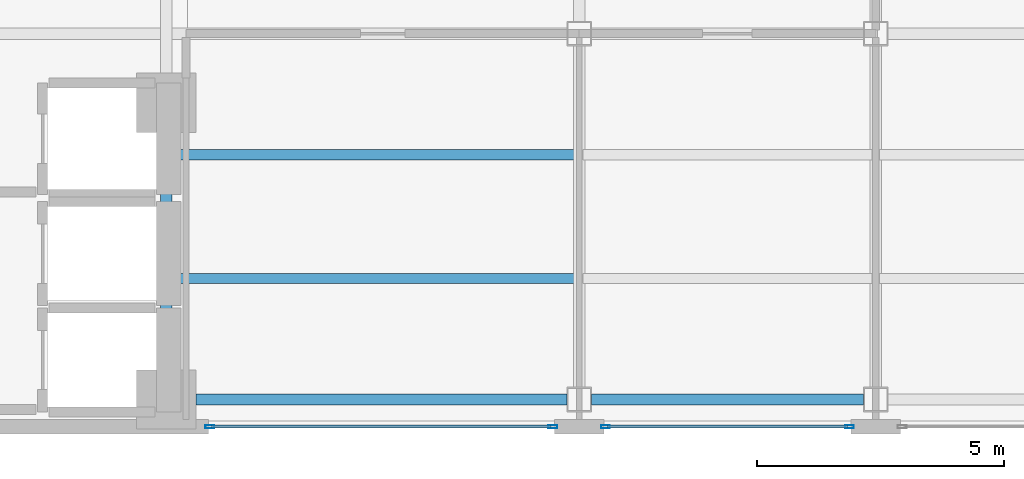
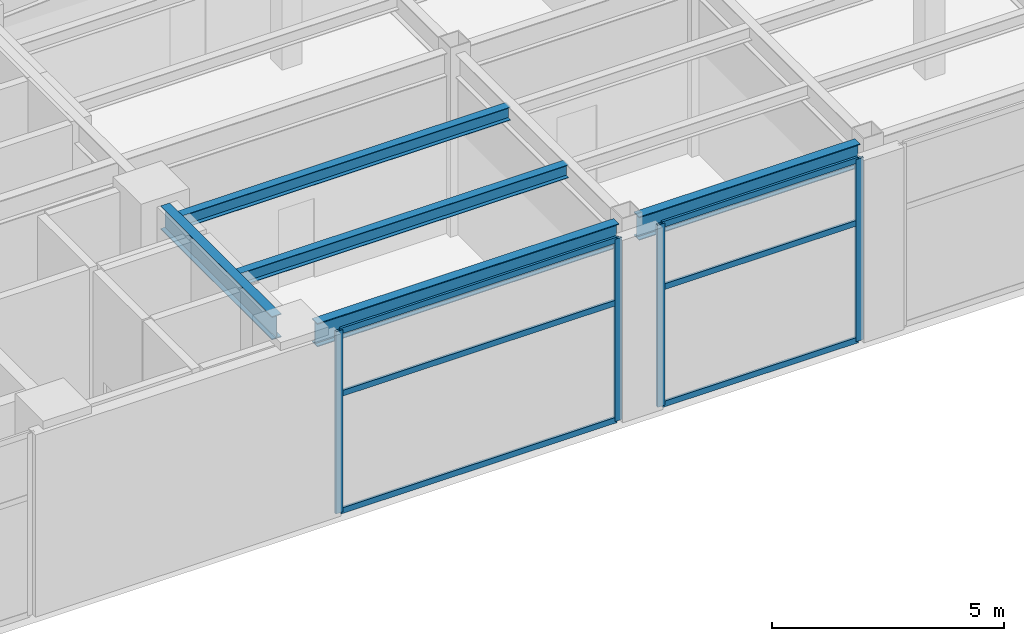
# One storey, part 4 of 23: 10 members, 5 beams, 2 elements without a shape of their own.
"""IFC4 building model written with IfcOpenShell, lengths in metres."""

from ifc_helpers import new_model, si_unit, direction, frame, origin, origin_2d, place, context, subcontext, project, spatial, hollow_rectangle, i_section, extrude, material, layer, layer_set, material_profile, profile_set, type_object, element, aggregate, save


model = new_model("IFC4")

# Units and contexts
model_context = context("Model", 3, precision=1e-05, world=origin(), true_north=direction((0.0, 1.0)))
body_context = subcontext(model_context, "Body", "Model", "MODEL_VIEW")
ifc_project = project(units=[si_unit("LENGTHUNIT", "METRE"), si_unit("AREAUNIT", "SQUARE_METRE"), si_unit("VOLUMEUNIT", "CUBIC_METRE"), si_unit("PLANEANGLEUNIT", "RADIAN"), si_unit("MASSUNIT", "GRAM", prefix="KILO")], contexts=[model_context])

# Site, building, storey
site_placement = place(None, origin())
site = spatial("IfcSite", under=ifc_project, at=site_placement, CompositionType="ELEMENT")
building_placement = place(site_placement, origin())
building = spatial("IfcBuilding", under=site, at=building_placement, Name="Mawjaban Terraces University", CompositionType="ELEMENT")
storey_placement = place(building_placement, frame((0.0, 0.0, 98.39990234375)))
storey = spatial("IfcBuildingStorey", under=building, at=storey_placement, Name="L23", CompositionType="ELEMENT", Elevation=98.39990234375)

# Beams
ifc_material_1 = material(Name="Steel ASTM A572 Grade 50", Category="steel")
ifc_material_profile_1 = material_profile(ifc_material_1, i_section(OverallWidth=0.22998046875, OverallDepth=0.616943359375, WebThickness=0.01318359375, FlangeThickness=0.022216796875, at=origin_2d()), Name="W610X140")
ifc_profile_set_1 = profile_set([ifc_material_profile_1], Name="Steel ASTM A572 Grade 50")
beam_type_1 = type_object("IfcBeamType", Name="Beam_B_W610X140", PredefinedType="BEAM", material=ifc_profile_set_1)
beam_1_placement = place(storey_placement, frame((38.25, 0.550048828125, 4.482177734375), z_axis=(1.0, 0.0, 0.0), x_axis=(0.0, 1.0, 0.0)))
element("IfcBeam", 1, at=beam_1_placement, inside=storey, type_object=beam_type_1, Name="L23 Beam BM-L23-EW-01", PredefinedType="BEAM", context=body_context, shape_type="SweptSolid", body=[
    extrude(i_section(OverallWidth=0.22998046875, OverallDepth=0.616943359375, WebThickness=0.01318359375, FlangeThickness=0.022216796875, at=origin_2d()), origin(), (0.0, 0.0, 1.0), 7.5),
])
beam_2_placement = place(storey_placement, frame((46.25, 0.550048828125, 4.482177734375), z_axis=(1.0, 0.0, 0.0), x_axis=(0.0, 1.0, 0.0)))
element("IfcBeam", 2, at=beam_2_placement, inside=storey, type_object=beam_type_1, Name="L23 Beam BM-L23-EW-02", PredefinedType="BEAM", context=body_context, shape_type="SweptSolid", body=[
    extrude(i_section(OverallWidth=0.22998046875, OverallDepth=0.616943359375, WebThickness=0.01318359375, FlangeThickness=0.022216796875, at=origin_2d()), origin(), (0.0, 0.0, 1.0), 5.5),
])
beam_3_placement = place(storey_placement, frame((37.64990234375, 1.14990234375, 4.482177734375), z_axis=(0.0, 1.0, 0.0), x_axis=(-1.0, 0.0, 0.0)))
element("IfcBeam", 3, at=beam_3_placement, inside=storey, type_object=beam_type_1, Name="L23 Beam BM-L23-NS-06", PredefinedType="BEAM", context=body_context, shape_type="SweptSolid", body=[
    extrude(i_section(OverallWidth=0.22998046875, OverallDepth=0.616943359375, WebThickness=0.01318359375, FlangeThickness=0.022216796875, at=origin_2d()), origin(), (0.0, 0.0, 1.0), 4.800048828125),
])
ifc_material_profile_2 = material_profile(ifc_material_1, i_section(OverallWidth=0.202880859375, OverallDepth=0.346923828125, WebThickness=0.0078125, FlangeThickness=0.013427734375, at=origin_2d()), Name="W360X64")
ifc_profile_set_2 = profile_set([ifc_material_profile_2], Name="Steel ASTM A572 Grade 50")
beam_type_2 = type_object("IfcBeamType", Name="Beam_J_W360X64", PredefinedType="JOIST", material=ifc_profile_set_2)
for number, where, z_axis, x_axis, name in (
    (4, (37.72998046875, 3.0, 4.6162109375), (1.0, 0.0, 0.0), (0.0, 1.0, 0.0), "L23 Composite Joist JST-L23-01"),
    (5, (37.72998046875, 5.5, 4.6162109375), (1.0, 0.0, 0.0), (0.0, 1.0, 0.0), "L23 Composite Joist JST-L23-05"),
):
    element("IfcBeam", number, at=place(storey_placement, frame(where, z_axis=z_axis, x_axis=x_axis)), inside=storey, type_object=beam_type_2, Name=name, PredefinedType="JOIST", context=body_context, shape_type="SweptSolid", body=[
        extrude(i_section(OverallWidth=0.202880859375, OverallDepth=0.346923828125, WebThickness=0.0078125, FlangeThickness=0.013427734375, at=origin_2d()), origin(), (0.0, 0.0, 1.0), 8.18994140625),
    ])

# Curtain wall, members
ifc_material_2 = material(Name="Anodised aluminium 6063-T6 and solar-control low-E glass", Category="aluminium")
ifc_layer = layer(ifc_material_2, 0.18994140625)
ifc_layer_set = layer_set([ifc_layer], Name="Anodised aluminium 6063-T6 and solar-control low-E glass")
curtain_wall_type = type_object("IfcCurtainWallType", Name="CWSystem_05_SkyLobby", PredefinedType="NOTDEFINED", material=ifc_layer_set)
curtain_wall_1_placement = place(storey_placement, origin())
curtain_wall_1 = element("IfcCurtainWall", 6, at=curtain_wall_1_placement, inside=storey, type_object=curtain_wall_type, Name="L23 Curtain Wall CW-05 Run 1.2", PredefinedType="NOTDEFINED")
ifc_material_3 = material(Name="Anodised aluminium 6063-T6", Category="aluminium")
ifc_material_profile_3 = material_profile(ifc_material_3, hollow_rectangle(XDim=0.06494140625, YDim=0.179931640625, WallThickness=0.00390625, at=origin_2d()), Name="ALU180X65X4")
ifc_profile_set_3 = profile_set([ifc_material_profile_3], Name="Anodised aluminium 6063-T6")
member_type_1 = type_object("IfcMemberType", Name="Mullion_CW-05", PredefinedType="MULLION", material=ifc_profile_set_3)
member_1_placement = place(storey_placement, frame((38.532470703125, 0.0, 0.0), z_axis=(0.0, 0.0, 1.0), x_axis=(0.0, 1.0, 0.0)))
member_1 = element("IfcMember", 7, at=member_1_placement, type_object=member_type_1, Name="CW-05 mullion 1", PredefinedType="MULLION", context=body_context, shape_type="SweptSolid", body=[
    extrude(hollow_rectangle(XDim=0.06494140625, YDim=0.179931640625, WallThickness=0.00390625, at=origin_2d()), origin(), (0.0, 0.0, 1.0), 4.7900390625),
])
member_2_placement = place(storey_placement, frame((45.467529296875, 0.0, 0.0), z_axis=(0.0, 0.0, 1.0), x_axis=(0.0, 1.0, 0.0)))
member_2 = element("IfcMember", 8, at=member_2_placement, type_object=member_type_1, Name="CW-05 mullion 2", PredefinedType="MULLION", context=body_context, shape_type="SweptSolid", body=[
    extrude(hollow_rectangle(XDim=0.06494140625, YDim=0.179931640625, WallThickness=0.00390625, at=origin_2d()), origin(), (0.0, 0.0, 1.0), 4.7900390625),
])

curtain_wall_2_placement = place(storey_placement, origin())
curtain_wall_2 = element("IfcCurtainWall", 9, at=curtain_wall_2_placement, inside=storey, type_object=curtain_wall_type, Name="L23 Curtain Wall CW-05 Run 1.3", PredefinedType="NOTDEFINED")
member_3_placement = place(storey_placement, frame((46.532470703125, 0.0, 0.0), z_axis=(0.0, 0.0, 1.0), x_axis=(0.0, 1.0, 0.0)))
member_3 = element("IfcMember", 10, at=member_3_placement, type_object=member_type_1, Name="CW-05 mullion 1", PredefinedType="MULLION", context=body_context, shape_type="SweptSolid", body=[
    extrude(hollow_rectangle(XDim=0.06494140625, YDim=0.179931640625, WallThickness=0.00390625, at=origin_2d()), origin(), (0.0, 0.0, 1.0), 4.7900390625),
])
member_4_placement = place(storey_placement, frame((51.467529296875, 0.0, 0.0), z_axis=(0.0, 0.0, 1.0), x_axis=(0.0, 1.0, 0.0)))
member_4 = element("IfcMember", 11, at=member_4_placement, type_object=member_type_1, Name="CW-05 mullion 2", PredefinedType="MULLION", context=body_context, shape_type="SweptSolid", body=[
    extrude(hollow_rectangle(XDim=0.06494140625, YDim=0.179931640625, WallThickness=0.00390625, at=origin_2d()), origin(), (0.0, 0.0, 1.0), 4.7900390625),
])

# Member
ifc_material_profile_4 = material_profile(ifc_material_3, hollow_rectangle(XDim=0.06005859375, YDim=0.14990234375, WallThickness=0.00390625, at=origin_2d()), Name="ALU150X60X4")
ifc_profile_set_4 = profile_set([ifc_material_profile_4], Name="Anodised aluminium 6063-T6")
member_type_2 = type_object("IfcMemberType", Name="Transom_CW-05", PredefinedType="NOTDEFINED", material=ifc_profile_set_4)
member_5_placement = place(storey_placement, frame((38.56494140625, 0.0, 0.030029296875), z_axis=(1.0, 0.0, 0.0), x_axis=(0.0, 1.0, 0.0)))
member_5 = element("IfcMember", 12, at=member_5_placement, type_object=member_type_2, Name="CW-05 transom 1.1", ObjectType="TRANSOM", PredefinedType="USERDEFINED", context=body_context, shape_type="SweptSolid", body=[
    extrude(hollow_rectangle(XDim=0.06005859375, YDim=0.14990234375, WallThickness=0.00390625, at=origin_2d()), origin(), (0.0, 0.0, 1.0), 6.8701171875),
])

member_6_placement = place(storey_placement, frame((38.56494140625, 0.0, 3.113037109375), z_axis=(1.0, 0.0, 0.0), x_axis=(0.0, 1.0, 0.0)))
member_6 = element("IfcMember", 13, at=member_6_placement, type_object=member_type_2, Name="CW-05 transom 1.2", ObjectType="TRANSOM", PredefinedType="USERDEFINED", context=body_context, shape_type="SweptSolid", body=[
    extrude(hollow_rectangle(XDim=0.06005859375, YDim=0.14990234375, WallThickness=0.00390625, at=origin_2d()), origin(), (0.0, 0.0, 1.0), 6.8701171875),
])

member_7_placement = place(storey_placement, frame((38.56494140625, 0.0, 4.760009765625), z_axis=(1.0, 0.0, 0.0), x_axis=(0.0, 1.0, 0.0)))
member_7 = element("IfcMember", 14, at=member_7_placement, type_object=member_type_2, Name="CW-05 transom 1.3", ObjectType="TRANSOM", PredefinedType="USERDEFINED", context=body_context, shape_type="SweptSolid", body=[
    extrude(hollow_rectangle(XDim=0.06005859375, YDim=0.14990234375, WallThickness=0.00390625, at=origin_2d()), origin(), (0.0, 0.0, 1.0), 6.8701171875),
])

aggregate(curtain_wall_1, [member_1, member_2, member_5, member_6, member_7])

member_8_placement = place(storey_placement, frame((46.56494140625, 0.0, 0.030029296875), z_axis=(1.0, 0.0, 0.0), x_axis=(0.0, 1.0, 0.0)))
member_8 = element("IfcMember", 15, at=member_8_placement, type_object=member_type_2, Name="CW-05 transom 1.1", ObjectType="TRANSOM", PredefinedType="USERDEFINED", context=body_context, shape_type="SweptSolid", body=[
    extrude(hollow_rectangle(XDim=0.06005859375, YDim=0.14990234375, WallThickness=0.00390625, at=origin_2d()), origin(), (0.0, 0.0, 1.0), 4.8701171875),
])

member_9_placement = place(storey_placement, frame((46.56494140625, 0.0, 3.113037109375), z_axis=(1.0, 0.0, 0.0), x_axis=(0.0, 1.0, 0.0)))
member_9 = element("IfcMember", 16, at=member_9_placement, type_object=member_type_2, Name="CW-05 transom 1.2", ObjectType="TRANSOM", PredefinedType="USERDEFINED", context=body_context, shape_type="SweptSolid", body=[
    extrude(hollow_rectangle(XDim=0.06005859375, YDim=0.14990234375, WallThickness=0.00390625, at=origin_2d()), origin(), (0.0, 0.0, 1.0), 4.8701171875),
])

member_10_placement = place(storey_placement, frame((46.56494140625, 0.0, 4.760009765625), z_axis=(1.0, 0.0, 0.0), x_axis=(0.0, 1.0, 0.0)))
member_10 = element("IfcMember", 17, at=member_10_placement, type_object=member_type_2, Name="CW-05 transom 1.3", ObjectType="TRANSOM", PredefinedType="USERDEFINED", context=body_context, shape_type="SweptSolid", body=[
    extrude(hollow_rectangle(XDim=0.06005859375, YDim=0.14990234375, WallThickness=0.00390625, at=origin_2d()), origin(), (0.0, 0.0, 1.0), 4.8701171875),
])

aggregate(curtain_wall_2, [member_3, member_4, member_8, member_9, member_10])

save(model, "model.ifc")
